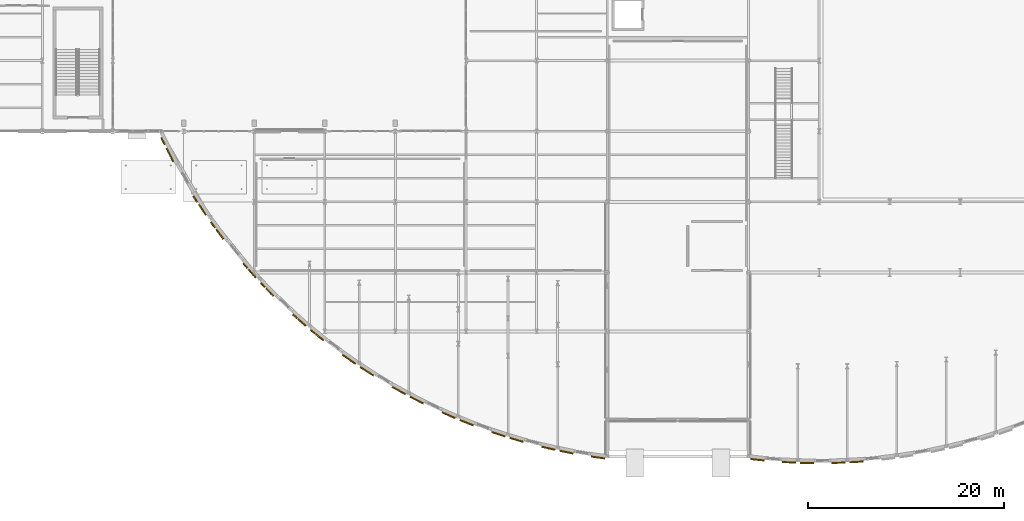
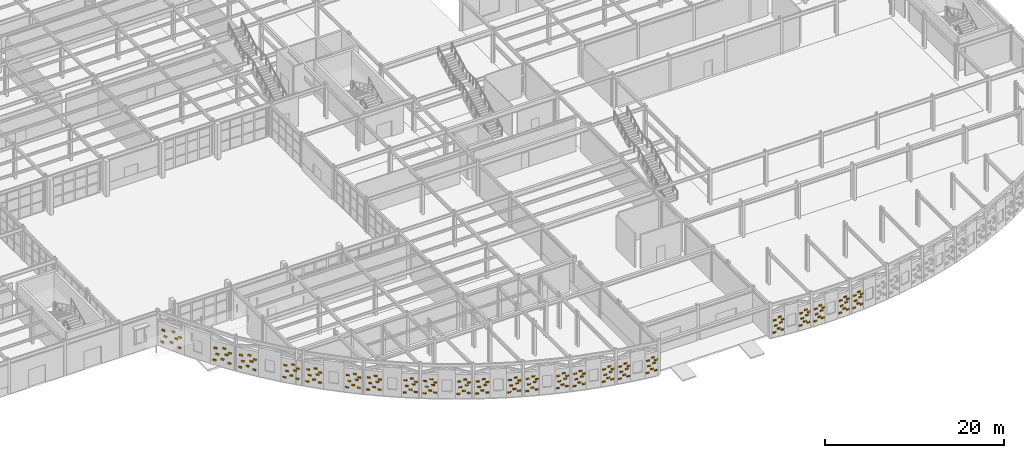
# One storey, part 82 of 83: 184 coverings.
"""IFC4 building model written with IfcOpenShell, lengths in metres."""

from ifc_helpers import new_model, si_unit, direction, frame, origin, origin_2d, place, context, subcontext, project, spatial, rectangle, extrude, material, layer, layer_set, type_object, element, save


model = new_model("IFC4")

# Units and contexts
model_context = context("Model", 3, precision=1e-05, world=origin(), true_north=direction((0.0, 1.0)))
body_context = subcontext(model_context, "Body", "Model", "MODEL_VIEW")
ifc_project = project(units=[si_unit("LENGTHUNIT", "METRE"), si_unit("AREAUNIT", "SQUARE_METRE"), si_unit("VOLUMEUNIT", "CUBIC_METRE"), si_unit("PLANEANGLEUNIT", "RADIAN"), si_unit("MASSUNIT", "GRAM", prefix="KILO")], contexts=[model_context])

# Site, building, storey
site_placement = place(None, origin())
site = spatial("IfcSite", under=ifc_project, at=site_placement, CompositionType="ELEMENT")
building_placement = place(site_placement, origin())
building = spatial("IfcBuilding", under=site, at=building_placement, Name="Solvadek Multi-Sports Hall", CompositionType="ELEMENT")
storey_placement = place(building_placement, origin())
storey = spatial("IfcBuildingStorey", under=building, at=storey_placement, Name="L00", CompositionType="ELEMENT", Elevation=0.0)

# Coverings
ifc_material = material(Name="Kiln-fired projecting relief brick", Category="masonry")
ifc_layer = layer(ifc_material, 0.139892578125, Name="Kiln-fired projecting relief brick")
ifc_layer_set = layer_set([ifc_layer], Name="Kiln-fired projecting relief brick")
covering_type = type_object("IfcCoveringType", Name="ENV-COV-BRKREL", PredefinedType="CLADDING", material=ifc_layer_set)
for number, where, z_axis, x_axis, name in (
    (1, (26.598388671875, 19.577392578125, 0.64013671875), (0.0, 0.0, 1.0), (0.451555495273, -0.892243035663, 0.0), "Projecting Relief Brick W-1.1"),
    (2, (27.1484375, 18.490966796875, 1.0400390625), (0.0, 0.0, 1.0), (0.451555495273, -0.892243035663, 0.0), "Projecting Relief Brick W-1.2"),
    (3, (27.633544921875, 17.5322265625, 0.76025390625), (0.0, 0.0, 1.0), (0.451555495273, -0.892243035663, 0.0), "Projecting Relief Brick W-1.3"),
    (4, (26.79248046875, 19.194091796875, 1.5400390625), (0.0, 0.0, 1.0), (0.451555495273, -0.892243035663, 0.0), "Projecting Relief Brick W-1.4"),
    (5, (27.439453125, 17.915771484375, 1.7998046875), (0.0, 0.0, 1.0), (0.451555495273, -0.892243035663, 0.0), "Projecting Relief Brick W-1.5"),
    (6, (26.6630859375, 19.44970703125, 2.2998046875), (0.0, 0.0, 1.0), (0.451555495273, -0.892243035663, 0.0), "Projecting Relief Brick W-1.6"),
    (7, (27.277587890625, 18.2353515625, 2.580078125), (0.0, 0.0, 1.0), (0.451555495273, -0.892243035663, 0.0), "Projecting Relief Brick W-1.7"),
    (8, (27.666015625, 17.46826171875, 2.16015625), (0.0, 0.0, 1.0), (0.451555495273, -0.892243035663, 0.0), "Projecting Relief Brick W-1.8"),
    (9, (29.9140625, 13.613037109375, 0.64013671875), (0.0, 0.0, 1.0), (0.551610038251, -0.834102131457, 0.0), "Projecting Relief Brick W-3.1"),
    (10, (30.45849609375, 12.78955078125, 1.0400390625), (0.0, 0.0, 1.0), (0.551610038251, -0.834102131457, 0.0), "Projecting Relief Brick W-3.2"),
    (11, (30.939208984375, 12.062744140625, 0.76025390625), (0.0, 0.0, 1.0), (0.551610038251, -0.834102131457, 0.0), "Projecting Relief Brick W-3.3"),
    (12, (30.106201171875, 13.322509765625, 1.5400390625), (0.0, 0.0, 1.0), (0.551610038251, -0.834102131457, 0.0), "Projecting Relief Brick W-3.4"),
    (13, (30.7470703125, 12.353515625, 1.7998046875), (0.0, 0.0, 1.0), (0.551610038251, -0.834102131457, 0.0), "Projecting Relief Brick W-3.5"),
    (14, (29.97802734375, 13.51611328125, 2.2998046875), (0.0, 0.0, 1.0), (0.551610038251, -0.834102131457, 0.0), "Projecting Relief Brick W-3.6"),
    (15, (30.5869140625, 12.595703125, 2.580078125), (0.0, 0.0, 1.0), (0.551610038251, -0.834102131457, 0.0), "Projecting Relief Brick W-3.7"),
    (16, (30.97119140625, 12.014404296875, 2.16015625), (0.0, 0.0, 1.0), (0.551610038251, -0.834102131457, 0.0), "Projecting Relief Brick W-3.8"),
    (17, (31.697998046875, 10.974609375, 0.64013671875), (0.0, 0.0, 1.0), (0.593159455627, -0.805085001848, 0.0), "Projecting Relief Brick W-4.1"),
    (18, (32.240478515625, 10.23828125, 1.0400390625), (0.0, 0.0, 1.0), (0.593159455627, -0.805085001848, 0.0), "Projecting Relief Brick W-4.2"),
    (19, (32.71923828125, 9.58837890625, 0.76025390625), (0.0, 0.0, 1.0), (0.593159455627, -0.805085001848, 0.0), "Projecting Relief Brick W-4.3"),
    (20, (31.8896484375, 10.714599609375, 1.5400390625), (0.0, 0.0, 1.0), (0.593159455627, -0.805085001848, 0.0), "Projecting Relief Brick W-4.4"),
    (21, (32.52783203125, 9.848388671875, 1.7998046875), (0.0, 0.0, 1.0), (0.593159455627, -0.805085001848, 0.0), "Projecting Relief Brick W-4.5"),
    (22, (31.761962890625, 10.8876953125, 2.2998046875), (0.0, 0.0, 1.0), (0.593159455627, -0.805085001848, 0.0), "Projecting Relief Brick W-4.6"),
    (23, (32.3681640625, 10.06494140625, 2.580078125), (0.0, 0.0, 1.0), (0.593159455627, -0.805085001848, 0.0), "Projecting Relief Brick W-4.7"),
    (24, (32.751220703125, 9.545166015625, 2.16015625), (0.0, 0.0, 1.0), (0.593159455627, -0.805085001848, 0.0), "Projecting Relief Brick W-4.8"),
    (25, (34.99267578125, 6.78515625, 0.64013671875), (0.0, 0.0, 1.0), (0.664767330468, -0.747050464388, 0.0), "Projecting Relief Brick W-6.1"),
    (26, (35.53125, 6.1796875, 1.0400390625), (0.0, 0.0, 1.0), (0.664767330468, -0.747050464388, 0.0), "Projecting Relief Brick W-6.2"),
    (27, (36.006591796875, 5.6455078125, 0.76025390625), (0.0, 0.0, 1.0), (0.664767330468, -0.747050464388, 0.0), "Projecting Relief Brick W-6.3"),
    (28, (35.1826171875, 6.571533203125, 1.5400390625), (0.0, 0.0, 1.0), (0.664767330468, -0.747050464388, 0.0), "Projecting Relief Brick W-6.4"),
    (29, (35.81640625, 5.859130859375, 1.7998046875), (0.0, 0.0, 1.0), (0.664767330468, -0.747050464388, 0.0), "Projecting Relief Brick W-6.5"),
    (30, (35.055908203125, 6.7138671875, 2.2998046875), (0.0, 0.0, 1.0), (0.664767330468, -0.747050464388, 0.0), "Projecting Relief Brick W-6.6"),
    (31, (35.658203125, 6.037353515625, 2.580078125), (0.0, 0.0, 1.0), (0.664767330468, -0.747050464388, 0.0), "Projecting Relief Brick W-6.7"),
    (32, (36.038330078125, 5.60986328125, 2.16015625), (0.0, 0.0, 1.0), (0.664767330468, -0.747050464388, 0.0), "Projecting Relief Brick W-6.8"),
    (33, (36.79296875, 4.79833984375, 0.64013671875), (0.0, 0.0, 1.0), (0.696004704957, -0.718037220956, 0.0), "Projecting Relief Brick W-7.1"),
    (34, (37.330078125, 4.244384765625, 1.0400390625), (0.0, 0.0, 1.0), (0.696004704957, -0.718037220956, 0.0), "Projecting Relief Brick W-7.2"),
    (35, (37.803955078125, 3.75537109375, 0.76025390625), (0.0, 0.0, 1.0), (0.696004704957, -0.718037220956, 0.0), "Projecting Relief Brick W-7.3"),
    (36, (36.982421875, 4.602783203125, 1.5400390625), (0.0, 0.0, 1.0), (0.696004704957, -0.718037220956, 0.0), "Projecting Relief Brick W-7.4"),
    (37, (37.6142578125, 3.950927734375, 1.7998046875), (0.0, 0.0, 1.0), (0.696004704957, -0.718037220956, 0.0), "Projecting Relief Brick W-7.5"),
    (38, (36.85595703125, 4.7333984375, 2.2998046875), (0.0, 0.0, 1.0), (0.696004704957, -0.718037220956, 0.0), "Projecting Relief Brick W-7.6"),
    (39, (37.456298828125, 4.114013671875, 2.580078125), (0.0, 0.0, 1.0), (0.696004704957, -0.718037220956, 0.0), "Projecting Relief Brick W-7.7"),
    (40, (37.83544921875, 3.722900390625, 2.16015625), (0.0, 0.0, 1.0), (0.696004704957, -0.718037220956, 0.0), "Projecting Relief Brick W-7.8"),
    (41, (40.072021484375, 1.596435546875, 0.64013671875), (0.0, 0.0, 1.0), (0.751215081629, -0.660057498353, 0.0), "Projecting Relief Brick W-9.1"),
    (42, (40.606201171875, 1.127197265625, 1.0400390625), (0.0, 0.0, 1.0), (0.751215081629, -0.660057498353, 0.0), "Projecting Relief Brick W-9.2"),
    (43, (41.077392578125, 0.712890625, 0.76025390625), (0.0, 0.0, 1.0), (0.751215081629, -0.660057498353, 0.0), "Projecting Relief Brick W-9.3"),
    (44, (40.260498046875, 1.430908203125, 1.5400390625), (0.0, 0.0, 1.0), (0.751215081629, -0.660057498353, 0.0), "Projecting Relief Brick W-9.4"),
    (45, (40.888916015625, 0.878662109375, 1.7998046875), (0.0, 0.0, 1.0), (0.751215081629, -0.660057498353, 0.0), "Projecting Relief Brick W-9.5"),
    (46, (40.134765625, 1.541259765625, 2.2998046875), (0.0, 0.0, 1.0), (0.751215081629, -0.660057498353, 0.0), "Projecting Relief Brick W-9.6"),
    (47, (40.731689453125, 1.0166015625, 2.580078125), (0.0, 0.0, 1.0), (0.751215081629, -0.660057498353, 0.0), "Projecting Relief Brick W-9.7"),
    (48, (41.10888671875, 0.685302734375, 2.16015625), (0.0, 0.0, 1.0), (0.751215081629, -0.660057498353, 0.0), "Projecting Relief Brick W-9.8"),
    (49, (41.884765625, 0.030029296875, 0.64013671875), (0.0, 0.0, 1.0), (0.775755175732, -0.631033998549, 0.0), "Projecting Relief Brick W-10.1"),
    (50, (42.41748046875, -0.4033203125, 1.0400390625), (0.0, 0.0, 1.0), (0.775755175732, -0.631033998549, 0.0), "Projecting Relief Brick W-10.2"),
    (51, (42.8876953125, -0.785888671875, 0.76025390625), (0.0, 0.0, 1.0), (0.775755175732, -0.631033998549, 0.0), "Projecting Relief Brick W-10.3"),
    (52, (42.07275390625, -0.122802734375, 1.5400390625), (0.0, 0.0, 1.0), (0.775755175732, -0.631033998549, 0.0), "Projecting Relief Brick W-10.4"),
    (53, (42.69970703125, -0.6328125, 1.7998046875), (0.0, 0.0, 1.0), (0.775755175732, -0.631033998549, 0.0), "Projecting Relief Brick W-10.5"),
    (54, (41.947509765625, -0.02099609375, 2.2998046875), (0.0, 0.0, 1.0), (0.775755175732, -0.631033998549, 0.0), "Projecting Relief Brick W-10.6"),
    (55, (42.54296875, -0.50537109375, 2.580078125), (0.0, 0.0, 1.0), (0.775755175732, -0.631033998549, 0.0), "Projecting Relief Brick W-10.7"),
    (56, (42.919189453125, -0.811279296875, 2.16015625), (0.0, 0.0, 1.0), (0.775755175732, -0.631033998549, 0.0), "Projecting Relief Brick W-10.8"),
    (57, (45.15185546875, -2.494384765625, 0.64013671875), (0.0, 0.0, 1.0), (0.819512548695, -0.573061238029, 0.0), "Projecting Relief Brick W-12.1"),
    (58, (45.682373046875, -2.865234375, 1.0400390625), (0.0, 0.0, 1.0), (0.819512548695, -0.573061238029, 0.0), "Projecting Relief Brick W-12.2"),
    (59, (46.150634765625, -3.192626953125, 0.76025390625), (0.0, 0.0, 1.0), (0.819512548695, -0.573061238029, 0.0), "Projecting Relief Brick W-12.3"),
    (60, (45.339111328125, -2.625244140625, 1.5400390625), (0.0, 0.0, 1.0), (0.819512548695, -0.573061238029, 0.0), "Projecting Relief Brick W-12.4"),
    (61, (45.96337890625, -3.061767578125, 1.7998046875), (0.0, 0.0, 1.0), (0.819512548695, -0.573061238029, 0.0), "Projecting Relief Brick W-12.5"),
    (62, (45.214111328125, -2.537841796875, 2.2998046875), (0.0, 0.0, 1.0), (0.819512548695, -0.573061238029, 0.0), "Projecting Relief Brick W-12.6"),
    (63, (45.807373046875, -2.95263671875, 2.580078125), (0.0, 0.0, 1.0), (0.819512548695, -0.573061238029, 0.0), "Projecting Relief Brick W-12.7"),
    (64, (46.181884765625, -3.214599609375, 2.16015625), (0.0, 0.0, 1.0), (0.819512548695, -0.573061238029, 0.0), "Projecting Relief Brick W-12.8"),
    (65, (46.974365234375, -3.747802734375, 0.64013671875), (0.0, 0.0, 1.0), (0.839053337602, -0.544049167502, 0.0), "Projecting Relief Brick W-13.1"),
    (66, (47.50390625, -4.09130859375, 1.0400390625), (0.0, 0.0, 1.0), (0.839053337602, -0.544049167502, 0.0), "Projecting Relief Brick W-13.2"),
    (67, (47.97119140625, -4.394287109375, 0.76025390625), (0.0, 0.0, 1.0), (0.839053337602, -0.544049167502, 0.0), "Projecting Relief Brick W-13.3"),
    (68, (47.161376953125, -3.868896484375, 1.5400390625), (0.0, 0.0, 1.0), (0.839053337602, -0.544049167502, 0.0), "Projecting Relief Brick W-13.4"),
    (69, (47.784423828125, -4.27294921875, 1.7998046875), (0.0, 0.0, 1.0), (0.839053337602, -0.544049167502, 0.0), "Projecting Relief Brick W-13.5"),
    (70, (47.03662109375, -3.7880859375, 2.2998046875), (0.0, 0.0, 1.0), (0.839053337602, -0.544049167502, 0.0), "Projecting Relief Brick W-13.6"),
    (71, (47.628662109375, -4.172119140625, 2.580078125), (0.0, 0.0, 1.0), (0.839053337602, -0.544049167502, 0.0), "Projecting Relief Brick W-13.7"),
    (72, (48.00244140625, -4.414306640625, 2.16015625), (0.0, 0.0, 1.0), (0.839053337602, -0.544049167502, 0.0), "Projecting Relief Brick W-13.8"),
    (73, (50.23193359375, -5.753662109375, 0.64013671875), (0.0, 0.0, 1.0), (0.873929914462, -0.486051956696, 0.0), "Projecting Relief Brick W-15.1"),
    (74, (50.759765625, -6.047119140625, 1.0400390625), (0.0, 0.0, 1.0), (0.873929914462, -0.486051956696, 0.0), "Projecting Relief Brick W-15.2"),
    (75, (51.2255859375, -6.30615234375, 0.76025390625), (0.0, 0.0, 1.0), (0.873929914462, -0.486051956696, 0.0), "Projecting Relief Brick W-15.3"),
    (76, (50.418212890625, -5.857177734375, 1.5400390625), (0.0, 0.0, 1.0), (0.873929914462, -0.486051956696, 0.0), "Projecting Relief Brick W-15.4"),
    (77, (51.039306640625, -6.202392578125, 1.7998046875), (0.0, 0.0, 1.0), (0.873929914462, -0.486051956696, 0.0), "Projecting Relief Brick W-15.5"),
    (78, (50.294189453125, -5.7880859375, 2.2998046875), (0.0, 0.0, 1.0), (0.873929914462, -0.486051956696, 0.0), "Projecting Relief Brick W-15.6"),
    (79, (50.884033203125, -6.1162109375, 2.580078125), (0.0, 0.0, 1.0), (0.873929914462, -0.486051956696, 0.0), "Projecting Relief Brick W-15.7"),
    (80, (51.256591796875, -6.323486328125, 2.16015625), (0.0, 0.0, 1.0), (0.873929914462, -0.486051956696, 0.0), "Projecting Relief Brick W-15.8"),
    (81, (52.0625, -6.75390625, 0.64013671875), (0.0, 0.0, 1.0), (0.889426842209, -0.457077556174, 0.0), "Projecting Relief Brick W-16.1"),
    (82, (52.589599609375, -7.024658203125, 1.0400390625), (0.0, 0.0, 1.0), (0.889426842209, -0.457077556174, 0.0), "Projecting Relief Brick W-16.2"),
    (83, (53.054443359375, -7.263671875, 0.76025390625), (0.0, 0.0, 1.0), (0.889426842209, -0.457077556174, 0.0), "Projecting Relief Brick W-16.3"),
    (84, (52.24853515625, -6.849609375, 1.5400390625), (0.0, 0.0, 1.0), (0.889426842209, -0.457077556174, 0.0), "Projecting Relief Brick W-16.4"),
    (85, (52.868408203125, -7.168212890625, 1.7998046875), (0.0, 0.0, 1.0), (0.889426842209, -0.457077556174, 0.0), "Projecting Relief Brick W-16.5"),
    (86, (52.12451171875, -6.785888671875, 2.2998046875), (0.0, 0.0, 1.0), (0.889426842209, -0.457077556174, 0.0), "Projecting Relief Brick W-16.6"),
    (87, (52.71337890625, -7.08837890625, 2.580078125), (0.0, 0.0, 1.0), (0.889426842209, -0.457077556174, 0.0), "Projecting Relief Brick W-16.7"),
    (88, (53.08544921875, -7.279541015625, 2.16015625), (0.0, 0.0, 1.0), (0.889426842209, -0.457077556174, 0.0), "Projecting Relief Brick W-16.8"),
    (89, (55.3125, -8.333984375, 0.64013671875), (0.0, 0.0, 1.0), (0.916917898667, -0.399075891409, 0.0), "Projecting Relief Brick W-18.1"),
    (90, (55.838134765625, -8.5625, 1.0400390625), (0.0, 0.0, 1.0), (0.916917898667, -0.399075891409, 0.0), "Projecting Relief Brick W-18.2"),
    (91, (56.3017578125, -8.764404296875, 0.76025390625), (0.0, 0.0, 1.0), (0.916917898667, -0.399075891409, 0.0), "Projecting Relief Brick W-18.3"),
    (92, (55.498046875, -8.41455078125, 1.5400390625), (0.0, 0.0, 1.0), (0.916917898667, -0.399075891409, 0.0), "Projecting Relief Brick W-18.4"),
    (93, (56.1162109375, -8.68359375, 1.7998046875), (0.0, 0.0, 1.0), (0.916917898667, -0.399075891409, 0.0), "Projecting Relief Brick W-18.5"),
    (94, (55.37451171875, -8.36083984375, 2.2998046875), (0.0, 0.0, 1.0), (0.916917898667, -0.399075891409, 0.0), "Projecting Relief Brick W-18.6"),
    (95, (55.961669921875, -8.616455078125, 2.580078125), (0.0, 0.0, 1.0), (0.916917898667, -0.399075891409, 0.0), "Projecting Relief Brick W-18.7"),
    (96, (56.332763671875, -8.77783203125, 2.16015625), (0.0, 0.0, 1.0), (0.916917898667, -0.399075891409, 0.0), "Projecting Relief Brick W-18.8"),
    (97, (57.149169921875, -9.11767578125, 0.64013671875), (0.0, 0.0, 1.0), (0.92898095972, -0.370127513808, 0.0), "Projecting Relief Brick W-19.1"),
    (98, (57.674072265625, -9.326904296875, 1.0400390625), (0.0, 0.0, 1.0), (0.92898095972, -0.370127513808, 0.0), "Projecting Relief Brick W-19.2"),
    (99, (58.13720703125, -9.51123046875, 0.76025390625), (0.0, 0.0, 1.0), (0.92898095972, -0.370127513808, 0.0), "Projecting Relief Brick W-19.3"),
    (100, (57.33447265625, -9.19140625, 1.5400390625), (0.0, 0.0, 1.0), (0.92898095972, -0.370127513808, 0.0), "Projecting Relief Brick W-19.4"),
    (101, (57.951904296875, -9.4375, 1.7998046875), (0.0, 0.0, 1.0), (0.92898095972, -0.370127513808, 0.0), "Projecting Relief Brick W-19.5"),
    (102, (57.2109375, -9.142333984375, 2.2998046875), (0.0, 0.0, 1.0), (0.92898095972, -0.370127513808, 0.0), "Projecting Relief Brick W-19.6"),
    (103, (57.797607421875, -9.3759765625, 2.580078125), (0.0, 0.0, 1.0), (0.92898095972, -0.370127513808, 0.0), "Projecting Relief Brick W-19.7"),
    (104, (58.168212890625, -9.523681640625, 2.16015625), (0.0, 0.0, 1.0), (0.92898095972, -0.370127513808, 0.0), "Projecting Relief Brick W-19.8"),
    (105, (60.393310546875, -10.33056640625, 0.64013671875), (0.0, 0.0, 1.0), (0.950042962408, -0.312119159264, 0.0), "Projecting Relief Brick W-21.1"),
    (106, (60.917236328125, -10.50244140625, 1.0400390625), (0.0, 0.0, 1.0), (0.950042962408, -0.312119159264, 0.0), "Projecting Relief Brick W-21.2"),
    (107, (61.37939453125, -10.654296875, 0.76025390625), (0.0, 0.0, 1.0), (0.950042962408, -0.312119159264, 0.0), "Projecting Relief Brick W-21.3"),
    (108, (60.578125, -10.39111328125, 1.5400390625), (0.0, 0.0, 1.0), (0.950042962408, -0.312119159264, 0.0), "Projecting Relief Brick W-21.4"),
    (109, (61.194580078125, -10.59375, 1.7998046875), (0.0, 0.0, 1.0), (0.950042962408, -0.312119159264, 0.0), "Projecting Relief Brick W-21.5"),
    (110, (60.455078125, -10.3505859375, 2.2998046875), (0.0, 0.0, 1.0), (0.950042962408, -0.312119159264, 0.0), "Projecting Relief Brick W-21.6"),
    (111, (61.040283203125, -10.54296875, 2.580078125), (0.0, 0.0, 1.0), (0.950042962408, -0.312119159264, 0.0), "Projecting Relief Brick W-21.7"),
    (112, (61.41015625, -10.66455078125, 2.16015625), (0.0, 0.0, 1.0), (0.950042962408, -0.312119159264, 0.0), "Projecting Relief Brick W-21.8"),
    (113, (62.234619140625, -10.921142578125, 0.64013671875), (0.0, 0.0, 1.0), (0.959064393359, -0.2831880813, 0.0), "Projecting Relief Brick W-22.1"),
    (114, (62.758056640625, -11.07568359375, 1.0400390625), (0.0, 0.0, 1.0), (0.959064393359, -0.2831880813, 0.0), "Projecting Relief Brick W-22.2"),
    (115, (63.2197265625, -11.2119140625, 0.76025390625), (0.0, 0.0, 1.0), (0.959064393359, -0.2831880813, 0.0), "Projecting Relief Brick W-22.3"),
    (116, (62.41943359375, -10.9755859375, 1.5400390625), (0.0, 0.0, 1.0), (0.959064393359, -0.2831880813, 0.0), "Projecting Relief Brick W-22.4"),
    (117, (63.03515625, -11.157470703125, 1.7998046875), (0.0, 0.0, 1.0), (0.959064393359, -0.2831880813, 0.0), "Projecting Relief Brick W-22.5"),
    (118, (62.29638671875, -10.939453125, 2.2998046875), (0.0, 0.0, 1.0), (0.959064393359, -0.2831880813, 0.0), "Projecting Relief Brick W-22.6"),
    (119, (62.881103515625, -11.112060546875, 2.580078125), (0.0, 0.0, 1.0), (0.959064393359, -0.2831880813, 0.0), "Projecting Relief Brick W-22.7"),
    (120, (63.25048828125, -11.22119140625, 2.16015625), (0.0, 0.0, 1.0), (0.959064393359, -0.2831880813, 0.0), "Projecting Relief Brick W-22.8"),
    (121, (65.474365234375, -11.8046875, 0.64013671875), (0.0, 0.0, 1.0), (0.974313261817, -0.225196953459, 0.0), "Projecting Relief Brick W-24.1"),
    (122, (65.996826171875, -11.925537109375, 1.0400390625), (0.0, 0.0, 1.0), (0.974313261817, -0.225196953459, 0.0), "Projecting Relief Brick W-24.2"),
    (123, (66.4580078125, -12.031982421875, 0.76025390625), (0.0, 0.0, 1.0), (0.974313261817, -0.225196953459, 0.0), "Projecting Relief Brick W-24.3"),
    (124, (65.65869140625, -11.847412109375, 1.5400390625), (0.0, 0.0, 1.0), (0.974313261817, -0.225196953459, 0.0), "Projecting Relief Brick W-24.4"),
    (125, (66.273681640625, -11.989501953125, 1.7998046875), (0.0, 0.0, 1.0), (0.974313261817, -0.225196953459, 0.0), "Projecting Relief Brick W-24.5"),
    (126, (65.535888671875, -11.81884765625, 2.2998046875), (0.0, 0.0, 1.0), (0.974313261817, -0.225196953459, 0.0), "Projecting Relief Brick W-24.6"),
    (127, (66.119873046875, -11.953857421875, 2.580078125), (0.0, 0.0, 1.0), (0.974313261817, -0.225196953459, 0.0), "Projecting Relief Brick W-24.7"),
    (128, (66.48876953125, -12.0390625, 2.16015625), (0.0, 0.0, 1.0), (0.974313261817, -0.225196953459, 0.0), "Projecting Relief Brick W-24.8"),
    (129, (67.319091796875, -12.2177734375, 0.64013671875), (0.0, 0.0, 1.0), (0.980567259161, -0.196183205861, 0.0), "Projecting Relief Brick W-25.1"),
    (130, (67.84130859375, -12.322265625, 1.0400390625), (0.0, 0.0, 1.0), (0.980567259161, -0.196183205861, 0.0), "Projecting Relief Brick W-25.2"),
    (131, (68.30224609375, -12.414306640625, 0.76025390625), (0.0, 0.0, 1.0), (0.980567259161, -0.196183205861, 0.0), "Projecting Relief Brick W-25.3"),
    (132, (67.50341796875, -12.254638671875, 1.5400390625), (0.0, 0.0, 1.0), (0.980567259161, -0.196183205861, 0.0), "Projecting Relief Brick W-25.4"),
    (133, (68.117919921875, -12.37744140625, 1.7998046875), (0.0, 0.0, 1.0), (0.980567259161, -0.196183205861, 0.0), "Projecting Relief Brick W-25.5"),
    (134, (67.380615234375, -12.22998046875, 2.2998046875), (0.0, 0.0, 1.0), (0.980567259161, -0.196183205861, 0.0), "Projecting Relief Brick W-25.6"),
    (135, (67.96435546875, -12.3466796875, 2.580078125), (0.0, 0.0, 1.0), (0.980567259161, -0.196183205861, 0.0), "Projecting Relief Brick W-25.7"),
    (136, (68.3330078125, -12.42041015625, 2.16015625), (0.0, 0.0, 1.0), (0.980567259161, -0.196183205861, 0.0), "Projecting Relief Brick W-25.8"),
    (137, (70.5556640625, -12.796630859375, 0.64013671875), (0.0, 0.0, 1.0), (0.990403400267, -0.138206746357, 0.0), "Projecting Relief Brick W-27.1"),
    (138, (71.077392578125, -12.869384765625, 1.0400390625), (0.0, 0.0, 1.0), (0.990403400267, -0.138206746357, 0.0), "Projecting Relief Brick W-27.2"),
    (139, (71.53759765625, -12.93359375, 0.76025390625), (0.0, 0.0, 1.0), (0.990403400267, -0.138206746357, 0.0), "Projecting Relief Brick W-27.3"),
    (140, (70.73974609375, -12.822509765625, 1.5400390625), (0.0, 0.0, 1.0), (0.990403400267, -0.138206746357, 0.0), "Projecting Relief Brick W-27.4"),
    (141, (71.353515625, -12.907958984375, 1.7998046875), (0.0, 0.0, 1.0), (0.990403400267, -0.138206746357, 0.0), "Projecting Relief Brick W-27.5"),
    (142, (70.6171875, -12.805419921875, 2.2998046875), (0.0, 0.0, 1.0), (0.990403400267, -0.138206746357, 0.0), "Projecting Relief Brick W-27.6"),
    (143, (71.2001953125, -12.88671875, 2.580078125), (0.0, 0.0, 1.0), (0.990403400267, -0.138206746357, 0.0), "Projecting Relief Brick W-27.7"),
    (144, (71.568359375, -12.93798828125, 2.16015625), (0.0, 0.0, 1.0), (0.990403400267, -0.138206746357, 0.0), "Projecting Relief Brick W-27.8"),
    (145, (86.801513671875, -13.04150390625, 0.64013671875), (0.0, 0.0, 1.0), (0.99401078481, -0.109282019021, 0.0), "Projecting Relief Brick E-1.1"),
    (146, (87.320556640625, -13.0986328125, 1.0400390625), (0.0, 0.0, 1.0), (0.99401078481, -0.109282019021, 0.0), "Projecting Relief Brick E-1.2"),
    (147, (87.778564453125, -13.14892578125, 0.76025390625), (0.0, 0.0, 1.0), (0.99401078481, -0.109282019021, 0.0), "Projecting Relief Brick E-1.3"),
    (148, (86.984619140625, -13.0615234375, 1.5400390625), (0.0, 0.0, 1.0), (0.99401078481, -0.109282019021, 0.0), "Projecting Relief Brick E-1.4"),
    (149, (87.595458984375, -13.12890625, 1.7998046875), (0.0, 0.0, 1.0), (0.99401078481, -0.109282019021, 0.0), "Projecting Relief Brick E-1.5"),
    (150, (86.8623046875, -13.048095703125, 2.2998046875), (0.0, 0.0, 1.0), (0.99401078481, -0.109282019021, 0.0), "Projecting Relief Brick E-1.6"),
    (151, (87.442626953125, -13.112060546875, 2.580078125), (0.0, 0.0, 1.0), (0.99401078481, -0.109282019021, 0.0), "Projecting Relief Brick E-1.7"),
    (152, (87.80908203125, -13.15234375, 2.16015625), (0.0, 0.0, 1.0), (0.99401078481, -0.109282019021, 0.0), "Projecting Relief Brick E-1.8"),
    (153, (90.022216796875, -13.330078125, 0.64013671875), (0.0, 0.0, 1.0), (0.998671005445, -0.051538557245, 0.0), "Projecting Relief Brick E-3.1"),
    (154, (90.541015625, -13.356689453125, 1.0400390625), (0.0, 0.0, 1.0), (0.998671005445, -0.051538557245, 0.0), "Projecting Relief Brick E-3.2"),
    (155, (90.9990234375, -13.380615234375, 0.76025390625), (0.0, 0.0, 1.0), (0.998671005445, -0.051538557245, 0.0), "Projecting Relief Brick E-3.3"),
    (156, (90.205322265625, -13.339599609375, 1.5400390625), (0.0, 0.0, 1.0), (0.998671005445, -0.051538557245, 0.0), "Projecting Relief Brick E-3.4"),
    (157, (90.81591796875, -13.37109375, 1.7998046875), (0.0, 0.0, 1.0), (0.998671005445, -0.051538557245, 0.0), "Projecting Relief Brick E-3.5"),
    (158, (90.083251953125, -13.333251953125, 2.2998046875), (0.0, 0.0, 1.0), (0.998671005445, -0.051538557245, 0.0), "Projecting Relief Brick E-3.6"),
    (159, (90.6630859375, -13.363037109375, 2.580078125), (0.0, 0.0, 1.0), (0.998671005445, -0.051538557245, 0.0), "Projecting Relief Brick E-3.7"),
    (160, (91.029541015625, -13.382080078125, 2.16015625), (0.0, 0.0, 1.0), (0.998671005445, -0.051538557245, 0.0), "Projecting Relief Brick E-3.8"),
    (161, (91.863037109375, -13.41259765625, 0.64013671875), (0.0, 0.0, 1.0), (0.999742940353, -0.02267274168, 0.0), "Projecting Relief Brick E-4.1"),
    (162, (92.382080078125, -13.42431640625, 1.0400390625), (0.0, 0.0, 1.0), (0.999742940353, -0.02267274168, 0.0), "Projecting Relief Brick E-4.2"),
    (163, (92.83984375, -13.434814453125, 0.76025390625), (0.0, 0.0, 1.0), (0.999742940353, -0.02267274168, 0.0), "Projecting Relief Brick E-4.3"),
    (164, (92.04638671875, -13.416748046875, 1.5400390625), (0.0, 0.0, 1.0), (0.999742940353, -0.02267274168, 0.0), "Projecting Relief Brick E-4.4"),
    (165, (92.65673828125, -13.4306640625, 1.7998046875), (0.0, 0.0, 1.0), (0.999742940353, -0.02267274168, 0.0), "Projecting Relief Brick E-4.5"),
    (166, (91.92431640625, -13.413818359375, 2.2998046875), (0.0, 0.0, 1.0), (0.999742940353, -0.02267274168, 0.0), "Projecting Relief Brick E-4.6"),
    (167, (92.504150390625, -13.427001953125, 2.580078125), (0.0, 0.0, 1.0), (0.999742940353, -0.02267274168, 0.0), "Projecting Relief Brick E-4.7"),
    (168, (92.870361328125, -13.435302734375, 2.16015625), (0.0, 0.0, 1.0), (0.999742940353, -0.02267274168, 0.0), "Projecting Relief Brick E-4.8"),
    (169, (95.083251953125, -13.4208984375, 0.64013671875), (0.0, 0.0, 1.0), (0.999385980888, 0.035037996585, 0.0), "Projecting Relief Brick E-6.1"),
    (170, (95.60205078125, -13.402587890625, 1.0400390625), (0.0, 0.0, 1.0), (0.999385980888, 0.035037996585, 0.0), "Projecting Relief Brick E-6.2"),
    (171, (96.059814453125, -13.38671875, 0.76025390625), (0.0, 0.0, 1.0), (0.999385980888, 0.035037996585, 0.0), "Projecting Relief Brick E-6.3"),
    (172, (95.266357421875, -13.414306640625, 1.5400390625), (0.0, 0.0, 1.0), (0.999385980888, 0.035037996585, 0.0), "Projecting Relief Brick E-6.4"),
    (173, (95.876708984375, -13.39306640625, 1.7998046875), (0.0, 0.0, 1.0), (0.999385980888, 0.035037996585, 0.0), "Projecting Relief Brick E-6.5"),
    (174, (95.144287109375, -13.418701171875, 2.2998046875), (0.0, 0.0, 1.0), (0.999385980888, 0.035037996585, 0.0), "Projecting Relief Brick E-6.6"),
    (175, (95.72412109375, -13.398193359375, 2.580078125), (0.0, 0.0, 1.0), (0.999385980888, 0.035037996585, 0.0), "Projecting Relief Brick E-6.7"),
    (176, (96.09033203125, -13.385498046875, 2.16015625), (0.0, 0.0, 1.0), (0.999385980888, 0.035037996585, 0.0), "Projecting Relief Brick E-6.8"),
    (177, (96.924072265625, -13.34375, 0.64013671875), (0.0, 0.0, 1.0), (0.997955239955, 0.063916657037, 0.0), "Projecting Relief Brick E-7.1"),
    (178, (97.44287109375, -13.310546875, 1.0400390625), (0.0, 0.0, 1.0), (0.997955239955, 0.063916657037, 0.0), "Projecting Relief Brick E-7.2"),
    (179, (97.90087890625, -13.28125, 0.76025390625), (0.0, 0.0, 1.0), (0.997955239955, 0.063916657037, 0.0), "Projecting Relief Brick E-7.3"),
    (180, (97.107177734375, -13.33203125, 1.5400390625), (0.0, 0.0, 1.0), (0.997955239955, 0.063916657037, 0.0), "Projecting Relief Brick E-7.4"),
    (181, (97.717529296875, -13.29296875, 1.7998046875), (0.0, 0.0, 1.0), (0.997955239955, 0.063916657037, 0.0), "Projecting Relief Brick E-7.5"),
    (182, (96.985107421875, -13.33984375, 2.2998046875), (0.0, 0.0, 1.0), (0.997955239955, 0.063916657037, 0.0), "Projecting Relief Brick E-7.6"),
    (183, (97.56494140625, -13.302734375, 2.580078125), (0.0, 0.0, 1.0), (0.997955239955, 0.063916657037, 0.0), "Projecting Relief Brick E-7.7"),
    (184, (97.931396484375, -13.279296875, 2.16015625), (0.0, 0.0, 1.0), (0.997955239955, 0.063916657037, 0.0), "Projecting Relief Brick E-7.8"),
):
    element("IfcCovering", number, at=place(storey_placement, frame(where, z_axis=z_axis, x_axis=x_axis)), inside=storey, type_object=covering_type, Name=name, PredefinedType="CLADDING", context=body_context, shape_type="SweptSolid", body=[
        extrude(rectangle(XDim=0.360107421875, YDim=0.139892578125, at=origin_2d()), origin(), (0.0, 0.0, 1.0), 0.159912109375),
    ])

save(model, "model.ifc")
